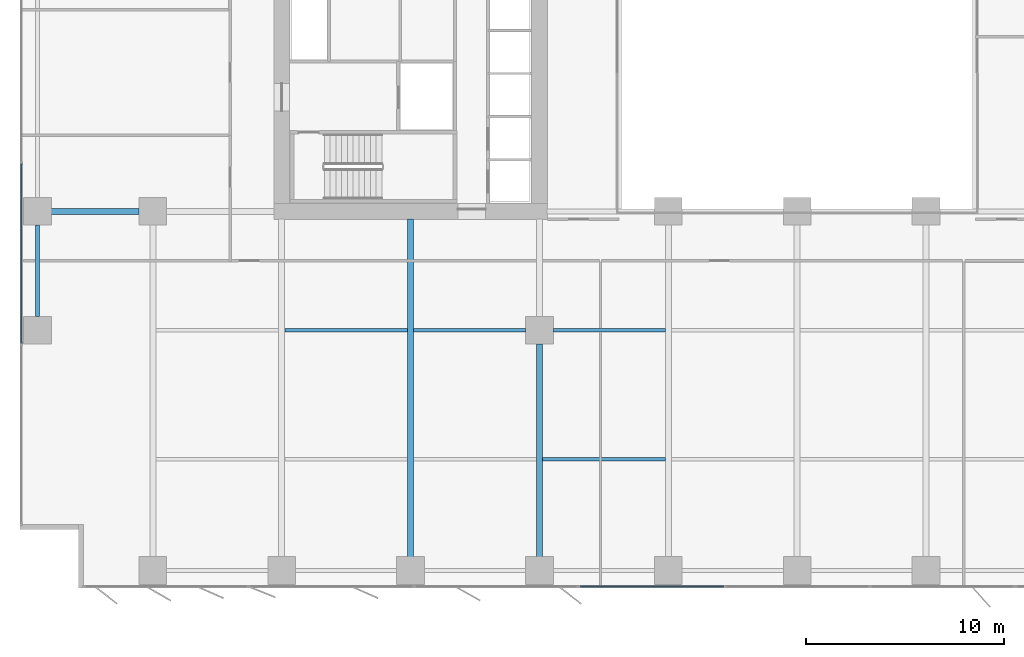
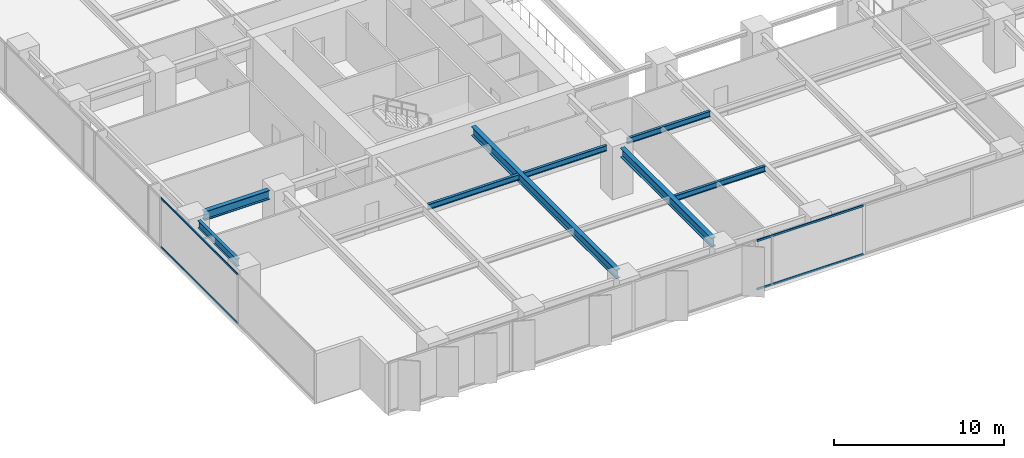
# One storey, part 3 of 20: 8 beams, 4 members, 2 elements without a shape of their own.
"""IFC4 building model written with IfcOpenShell, lengths in metres."""

import ifcopenshell
import ifcopenshell.guid

model = None  # the IFC model being written
_history = None  # IfcOwnerHistory: only IFC2X3 demands one
_inside = {}  # id of a spatial element -> (the spatial element, [elements in it])
_under = {}  # id of a project, library or spatial element -> (it, [spatial elements below it])
_declared = {}  # id of a project -> (the project, [libraries it declares])
_typed = {}  # id of a type object -> (the type object, [elements of that type])
_made_of = {}  # id of a material, layer set ... -> (it, [elements and type objects made of it])


def new_model(schema):
    """Start an empty IFC model of exactly this schema.

    Asked for "IFC4X3", IfcOpenShell would pick the latest addendum, in which some entities
    have other attributes; the version numbers below select the first issue.
    IFC2X3 requires an IfcOwnerHistory on every rooted entity: one is made here for all.
    """
    global model, _history
    if schema == "IFC4X3":
        model = ifcopenshell.file(schema_version=(4, 3, 0, 0))
    else:
        model = ifcopenshell.file(schema=schema)
    _inside.clear()
    _under.clear()
    _declared.clear()
    _typed.clear()
    _made_of.clear()
    _history = None
    if model.schema == "IFC2X3":
        org = make("IfcOrganization", Name="unknown")
        user = make(
            "IfcPersonAndOrganization",
            ThePerson=make("IfcPerson", FamilyName="unknown"),
            TheOrganization=org,
        )
        app = make(
            "IfcApplication",
            ApplicationDeveloper=org,
            Version="unknown",
            ApplicationFullName="unknown",
            ApplicationIdentifier="unknown",
        )
        _history = make(
            "IfcOwnerHistory",
            OwningUser=user,
            OwningApplication=app,
            ChangeAction="ADDED",
            CreationDate=0,
        )
    return model


def make(cls, **values):
    """One entity of the class cls with the attributes given. An attribute that is None is left unset."""
    return model.create_entity(
        cls, **{name: value for name, value in values.items() if value is not None}
    )


def rooted(cls, **values):
    """An entity with a GlobalId (a new one), such as an element, a storey or a relation."""
    return make(cls, GlobalId=ifcopenshell.guid.new(), OwnerHistory=_history, **values)


def si_unit(unit_type, name, prefix=None):
    """IfcSIUnit, for example si_unit("LENGTHUNIT", "METRE", prefix="MILLI")."""
    return make("IfcSIUnit", UnitType=unit_type, Prefix=prefix, Name=name)


def assignment(units):
    """IfcUnitAssignment: the units of a project."""
    return None if units is None else make("IfcUnitAssignment", Units=units)


def point(xyz):
    """IfcCartesianPoint."""
    return None if xyz is None else make("IfcCartesianPoint", Coordinates=xyz)


def direction(xyz):
    """IfcDirection."""
    return None if xyz is None else make("IfcDirection", DirectionRatios=xyz)


def frame(location, z_axis=None, x_axis=None):
    """IfcAxis2Placement3D, a coordinate frame: its origin and axes. An axis left out is left unset."""
    return make(
        "IfcAxis2Placement3D",
        Location=point(location),
        Axis=direction(z_axis),
        RefDirection=direction(x_axis),
    )


def frame_2d(location, x_axis=None):
    """IfcAxis2Placement2D, a coordinate frame in the plane: its origin and x axis."""
    return make(
        "IfcAxis2Placement2D", Location=point(location), RefDirection=direction(x_axis)
    )


def origin():
    """The frame at (0, 0, 0) with its axes left unset."""
    return frame((0.0, 0.0, 0.0))


def origin_2d():
    """The frame at (0, 0) in the plane with its x axis left unset."""
    return frame_2d((0.0, 0.0))


def place(relative_to, where):
    """IfcLocalPlacement: puts the frame where relative to a parent placement (None: the world)."""
    return make(
        "IfcLocalPlacement", PlacementRelTo=relative_to, RelativePlacement=where
    )


def context(
    kind, dimensions, precision=None, world=None, true_north=None, identifier=None
):
    """IfcGeometricRepresentationContext, for example the 3D "Model" context."""
    return make(
        "IfcGeometricRepresentationContext",
        ContextIdentifier=identifier,
        ContextType=kind,
        CoordinateSpaceDimension=dimensions,
        Precision=precision,
        WorldCoordinateSystem=world,
        TrueNorth=true_north,
    )


def subcontext(parent, identifier, kind, view, scale=None):
    """IfcGeometricRepresentationSubContext, for example "Body" below "Model"."""
    return make(
        "IfcGeometricRepresentationSubContext",
        ContextIdentifier=identifier,
        ContextType=kind,
        ParentContext=parent,
        TargetScale=scale,
        TargetView=view,
    )


def project(units=None, contexts=None):
    """IfcProject with its units and contexts."""
    return rooted(
        "IfcProject",
        Name="project",
        RepresentationContexts=contexts,
        UnitsInContext=assignment(units),
    )


def spatial(cls, under=None, at=None, **own):
    """A site, building, storey or space (cls), placed at a placement, below another one or the project."""
    s = rooted(cls, ObjectPlacement=at, **own)
    if under is not None:
        _under.setdefault(under.id(), (under, []))[1].append(s)
    return s


def profile(cls, at=None, kind="AREA", **sizes):
    """A parametric profile (cls). Its sizes go by their IFC names, for example OverallWidth=200.0."""
    return make(cls, ProfileType=kind, Position=at, **sizes)


def rectangle(**sizes):
    """IfcRectangleProfileDef."""
    return profile("IfcRectangleProfileDef", **sizes)


def i_section(**sizes):
    """IfcIShapeProfileDef."""
    return profile("IfcIShapeProfileDef", **sizes)


def extrude(swept, where, along, depth):
    """IfcExtrudedAreaSolid: the profile swept, set in the frame where, extruded along a direction by depth."""
    return make(
        "IfcExtrudedAreaSolid",
        SweptArea=swept,
        Position=where,
        ExtrudedDirection=direction(along),
        Depth=depth,
    )


def shape(context_of_items, identifier, shape_type, items):
    """IfcShapeRepresentation: the items that make up one representation, for example the "Body"."""
    return make(
        "IfcShapeRepresentation",
        ContextOfItems=context_of_items,
        RepresentationIdentifier=identifier,
        RepresentationType=shape_type,
        Items=items,
    )


def material(Name=None, Category=None):
    """IfcMaterial."""
    return make("IfcMaterial", Name=Name, Category=Category)


def layer(
    of_material, thickness, ventilated=None, Name=None, Category=None, Priority=None
):
    """IfcMaterialLayer: one layer of a wall or slab, of a material (None: an air gap)."""
    return make(
        "IfcMaterialLayer",
        Material=of_material,
        LayerThickness=thickness,
        IsVentilated=ventilated,
        Name=Name,
        Category=Category,
        Priority=Priority,
    )


def layer_set(layers, Name=None):
    """IfcMaterialLayerSet."""
    return make("IfcMaterialLayerSet", MaterialLayers=layers, LayerSetName=Name)


def material_profile(
    of_material, cross_section, Name=None, Category=None, Priority=None
):
    """IfcMaterialProfile: a cross section and its material."""
    return make(
        "IfcMaterialProfile",
        Name=Name,
        Material=of_material,
        Profile=cross_section,
        Priority=Priority,
        Category=Category,
    )


def profile_set(profiles, Name=None, composite=None):
    """IfcMaterialProfileSet."""
    return make(
        "IfcMaterialProfileSet",
        Name=Name,
        MaterialProfiles=profiles,
        CompositeProfile=composite,
    )


def made_of(thing, what):
    """Note that an element or type object is made of a material, layer set ...; save() writes the relation."""
    if what is not None:
        _made_of.setdefault(what.id(), (what, []))[1].append(thing)
    return thing


def type_object(cls, material=None, **own):
    """A type object (cls), such as IfcWallType, which elements share."""
    return made_of(rooted(cls, **own), material)


def element(
    cls,
    number,
    at=None,
    inside=None,
    cuts=None,
    type_object=None,
    material=None,
    context=None,
    identifier="Body",
    shape_type=None,
    held_by="IfcProductDefinitionShape",
    body=None,
    shapes=None,
    **own,
):
    """One element of the class cls, such as IfcWall. Its Tag is "e" and its number.

    at: its placement. inside: the storey or other place that contains it. cuts: it is an
    opening in that element (IfcRelVoidsElement). A single representation is given by context,
    identifier, shape_type and body (its items); several are given by shapes. held_by: the class
    of the entity that holds the representations. save() writes the other relations.
    """
    e = rooted(cls, Tag="e%d" % number, ObjectPlacement=at, **own)
    if body is not None:
        shapes = [shape(context, identifier, shape_type, body)]
    if shapes is not None:
        e.Representation = make(held_by, Representations=shapes)
    if inside is not None:
        _inside.setdefault(inside.id(), (inside, []))[1].append(e)
    if cuts is not None:
        rooted(
            "IfcRelVoidsElement", RelatingBuildingElement=cuts, RelatedOpeningElement=e
        )
    if type_object is not None:
        _typed.setdefault(type_object.id(), (type_object, []))[1].append(e)
    return made_of(e, material)


def aggregate(whole, parts):
    """IfcRelAggregates: a whole, such as a stair, and the parts it consists of."""
    return rooted("IfcRelAggregates", RelatingObject=whole, RelatedObjects=parts)


def save(model, path):
    """Write the relations noted so far, then the file.

    IfcRelAggregates (storeys below a building ...), IfcRelContainedInSpatialStructure (elements
    in a storey), IfcRelDefinesByType, IfcRelAssociatesMaterial and IfcRelDeclares: one each for
    every whole, place, type object, material and project.
    """
    for whole, parts in _under.values():
        aggregate(whole, parts)
    for where, things in _inside.values():
        rooted(
            "IfcRelContainedInSpatialStructure",
            RelatedElements=things,
            RelatingStructure=where,
        )
    for kind, things in _typed.values():
        rooted("IfcRelDefinesByType", RelatedObjects=things, RelatingType=kind)
    for what, things in _made_of.values():
        rooted("IfcRelAssociatesMaterial", RelatedObjects=things, RelatingMaterial=what)
    for by, libraries in _declared.values():
        rooted("IfcRelDeclares", RelatingContext=by, RelatedDefinitions=libraries)
    model.write(path)


model = new_model("IFC4")

# Units and contexts
model_context = context("Model", 3, precision=1e-05, world=origin(), true_north=direction((0.0, 1.0)))
body_context = subcontext(model_context, "Body", "Model", "MODEL_VIEW")
ifc_project = project(units=[si_unit("LENGTHUNIT", "METRE"), si_unit("AREAUNIT", "SQUARE_METRE"), si_unit("VOLUMEUNIT", "CUBIC_METRE"), si_unit("PLANEANGLEUNIT", "RADIAN"), si_unit("MASSUNIT", "GRAM", prefix="KILO")], contexts=[model_context])

# Site, building, storey
site_placement = place(None, origin())
site = spatial("IfcSite", under=ifc_project, at=site_placement, CompositionType="ELEMENT")
building_placement = place(site_placement, origin())
building = spatial("IfcBuilding", under=site, at=building_placement, Name="Putna Gate Headquarters", CompositionType="ELEMENT")
storey_placement = place(building_placement, frame((0.0, 0.0, 54.39990234375)))
storey = spatial("IfcBuildingStorey", under=building, at=storey_placement, Name="L12", CompositionType="ELEMENT", Elevation=54.39990234375)

# Beams
ifc_material_1 = material(Name="Steel S355J2", Category="steel")
ifc_material_profile_1 = material_profile(ifc_material_1, i_section(OverallWidth=0.300048828125, OverallDepth=0.64990234375, WebThickness=0.01611328125, FlangeThickness=0.031005859375, at=origin_2d()), Name="Steel S355J2")
ifc_profile_set_1 = profile_set([ifc_material_profile_1], Name="Steel S355J2")
beam_type_1 = type_object("IfcBeamType", Name="BM-GIRD-Z1-HEB650", PredefinedType="USERDEFINED", material=ifc_profile_set_1)
beam_1_placement = place(storey_placement, frame((1.367919921875, 19.0, 3.22509765625), z_axis=(1.0, 0.0, 0.0), x_axis=(0.0, 1.0, 0.0)))
element("IfcBeam", 1, at=beam_1_placement, inside=storey, type_object=beam_type_1, Name="L12 West Wing Girder Y19-1", ObjectType="GIRDER", PredefinedType="USERDEFINED", context=body_context, shape_type="SweptSolid", body=[
    extrude(i_section(OverallWidth=0.300048828125, OverallDepth=0.64990234375, WebThickness=0.01611328125, FlangeThickness=0.031005859375, at=origin_2d()), origin(), (0.0, 0.0, 1.0), 4.444091796875),
])
beam_2_placement = place(storey_placement, frame((19.5, 1.568115234375, 3.22509765625), z_axis=(0.0, 1.0, 0.0), x_axis=(-1.0, 0.0, 0.0)))
element("IfcBeam", 2, at=beam_2_placement, inside=storey, type_object=beam_type_1, Name="L12 South Primary Girder X19", ObjectType="GIRDER", PredefinedType="USERDEFINED", context=body_context, shape_type="SweptSolid", body=[
    extrude(i_section(OverallWidth=0.300048828125, OverallDepth=0.64990234375, WebThickness=0.01611328125, FlangeThickness=0.031005859375, at=origin_2d()), origin(), (0.0, 0.0, 1.0), 17.046875),
])
beam_3_placement = place(storey_placement, frame((26.0, 1.568115234375, 3.22509765625), z_axis=(0.0, 1.0, 0.0), x_axis=(-1.0, 0.0, 0.0)))
element("IfcBeam", 3, at=beam_3_placement, inside=storey, type_object=beam_type_1, Name="L12 South Primary Girder X26-1", ObjectType="GIRDER", PredefinedType="USERDEFINED", context=body_context, shape_type="SweptSolid", body=[
    extrude(i_section(OverallWidth=0.300048828125, OverallDepth=0.64990234375, WebThickness=0.01611328125, FlangeThickness=0.031005859375, at=origin_2d()), origin(), (0.0, 0.0, 1.0), 10.743896484375),
])
ifc_material_profile_2 = material_profile(ifc_material_1, i_section(OverallWidth=0.179931640625, OverallDepth=0.39990234375, WebThickness=0.008544921875, FlangeThickness=0.013427734375, at=origin_2d()), Name="Steel S355J2")
ifc_profile_set_2 = profile_set([ifc_material_profile_2], Name="Steel S355J2")
beam_type_2 = type_object("IfcBeamType", Name="BM-SEC-Z1-IPE400", PredefinedType="BEAM", material=ifc_profile_set_2)
beam_4_placement = place(storey_placement, frame((13.154052734375, 13.0, 3.35009765625), z_axis=(1.0, 0.0, 0.0), x_axis=(0.0, 1.0, 0.0)))
element("IfcBeam", 4, at=beam_4_placement, inside=storey, type_object=beam_type_2, Name="L12 South Secondary Beam 2", PredefinedType="BEAM", context=body_context, shape_type="SweptSolid", body=[
    extrude(i_section(OverallWidth=0.179931640625, OverallDepth=0.39990234375, WebThickness=0.008544921875, FlangeThickness=0.013427734375, at=origin_2d()), origin(), (0.0, 0.0, 1.0), 6.19189453125),
])
beam_5_placement = place(storey_placement, frame((19.654052734375, 13.0, 3.35009765625), z_axis=(1.0, 0.0, 0.0), x_axis=(0.0, 1.0, 0.0)))
element("IfcBeam", 5, at=beam_5_placement, inside=storey, type_object=beam_type_2, Name="L12 South Secondary Beam 3", PredefinedType="BEAM", context=body_context, shape_type="SweptSolid", body=[
    extrude(i_section(OverallWidth=0.179931640625, OverallDepth=0.39990234375, WebThickness=0.008544921875, FlangeThickness=0.013427734375, at=origin_2d()), origin(), (0.0, 0.0, 1.0), 5.657958984375),
])
beam_6_placement = place(storey_placement, frame((26.154052734375, 6.5, 3.35009765625), z_axis=(1.0, 0.0, 0.0), x_axis=(0.0, 1.0, 0.0)))
element("IfcBeam", 6, at=beam_6_placement, inside=storey, type_object=beam_type_2, Name="L12 South Secondary Beam 4", PredefinedType="BEAM", context=body_context, shape_type="SweptSolid", body=[
    extrude(i_section(OverallWidth=0.179931640625, OverallDepth=0.39990234375, WebThickness=0.008544921875, FlangeThickness=0.013427734375, at=origin_2d()), origin(), (0.0, 0.0, 1.0), 6.19189453125),
])
beam_7_placement = place(storey_placement, frame((26.68798828125, 13.0, 3.35009765625), z_axis=(1.0, 0.0, 0.0), x_axis=(0.0, 1.0, 0.0)))
element("IfcBeam", 7, at=beam_7_placement, inside=storey, type_object=beam_type_2, Name="L12 South Secondary Beam 4", PredefinedType="BEAM", context=body_context, shape_type="SweptSolid", body=[
    extrude(i_section(OverallWidth=0.179931640625, OverallDepth=0.39990234375, WebThickness=0.008544921875, FlangeThickness=0.013427734375, at=origin_2d()), origin(), (0.0, 0.0, 1.0), 5.657958984375),
])
ifc_material_profile_3 = material_profile(ifc_material_1, i_section(OverallWidth=0.2099609375, OverallDepth=0.550048828125, WebThickness=0.010986328125, FlangeThickness=0.01708984375, at=origin_2d()), Name="Steel S355J2")
ifc_profile_set_3 = profile_set([ifc_material_profile_3], Name="Steel S355J2")
beam_type_3 = type_object("IfcBeamType", Name="BM-SPAN-Z1-IPE550", PredefinedType="SPANDREL", material=ifc_profile_set_3)
beam_8_placement = place(storey_placement, frame((0.679931640625, 13.68798828125, 3.275146484375), z_axis=(0.0, 1.0, 0.0), x_axis=(-1.0, 0.0, 0.0)))
element("IfcBeam", 8, at=beam_8_placement, inside=storey, type_object=beam_type_3, Name="L12 W End Spandrel 1", PredefinedType="SPANDREL", context=body_context, shape_type="SweptSolid", body=[
    extrude(i_section(OverallWidth=0.2099609375, OverallDepth=0.550048828125, WebThickness=0.010986328125, FlangeThickness=0.01708984375, at=origin_2d()), origin(), (0.0, 0.0, 1.0), 4.6240234375),
])

# Curtain wall, members
ifc_material_2 = material(Name="Anodised bronze aluminium curtain wall", Category="aluminium")
ifc_layer_1 = layer(ifc_material_2, 0.179931640625)
ifc_layer_set_1 = layer_set([ifc_layer_1], Name="Anodised bronze aluminium curtain wall")
curtain_wall_type_1 = type_object("IfcCurtainWallType", Name="CW-SYS-Z1", PredefinedType="USERDEFINED", material=ifc_layer_set_1)
curtain_wall_1_placement = place(storey_placement, origin())
curtain_wall_1 = element("IfcCurtainWall", 9, at=curtain_wall_1_placement, inside=storey, type_object=curtain_wall_type_1, Name="L12 West Curtain Wall", ObjectType="STICK CURTAIN WALL", PredefinedType="USERDEFINED")
ifc_material_3 = material(Name="Anodised bronze aluminium EN AW-6060", Category="aluminium")
ifc_material_profile_4 = material_profile(ifc_material_3, rectangle(XDim=0.06494140625, YDim=0.1201171875, at=origin_2d()), Name="Anodised bronze aluminium EN AW-6060")
ifc_profile_set_4 = profile_set([ifc_material_profile_4], Name="Anodised bronze aluminium EN AW-6060")
member_type_1 = type_object("IfcMemberType", Name="TRAN-CWT-1", PredefinedType="USERDEFINED", material=ifc_profile_set_4)
member_1_placement = place(storey_placement, frame((-0.1201171875, 12.35498046875, 0.03271484375), z_axis=(0.0, 1.0, 0.0), x_axis=(-1.0, 0.0, 0.0)))
member_1 = element("IfcMember", 10, at=member_1_placement, type_object=member_type_1, Name="CWS-1 transom 2.1", ObjectType="TRANSOM", PredefinedType="USERDEFINED", context=body_context, shape_type="SweptSolid", body=[
    extrude(rectangle(XDim=0.06494140625, YDim=0.1201171875, at=origin_2d()), origin(), (0.0, 0.0, 1.0), 9.050048828125),
])
member_2_placement = place(storey_placement, frame((-0.1201171875, 12.35498046875, 3.517578125), z_axis=(0.0, 1.0, 0.0), x_axis=(-1.0, 0.0, 0.0)))
member_2 = element("IfcMember", 11, at=member_2_placement, type_object=member_type_1, Name="CWS-1 transom 2.2", ObjectType="TRANSOM", PredefinedType="USERDEFINED", context=body_context, shape_type="SweptSolid", body=[
    extrude(rectangle(XDim=0.06494140625, YDim=0.1201171875, at=origin_2d()), origin(), (0.0, 0.0, 1.0), 9.050048828125),
])
aggregate(curtain_wall_1, [member_1, member_2])

ifc_layer_2 = layer(ifc_material_2, 0.179931640625)
ifc_layer_set_2 = layer_set([ifc_layer_2], Name="Anodised bronze aluminium curtain wall")
curtain_wall_type_2 = type_object("IfcCurtainWallType", Name="CW-SYS-ATR", PredefinedType="USERDEFINED", material=ifc_layer_set_2)
curtain_wall_2_placement = place(storey_placement, origin())
curtain_wall_2 = element("IfcCurtainWall", 12, at=curtain_wall_2_placement, inside=storey, type_object=curtain_wall_type_2, Name="L12 South Atrium Clear Glazing", ObjectType="ATRIUM GLAZING", PredefinedType="USERDEFINED")
ifc_material_profile_5 = material_profile(ifc_material_3, rectangle(XDim=0.070068359375, YDim=0.139892578125, at=origin_2d()), Name="Anodised bronze aluminium EN AW-6060")
ifc_profile_set_5 = profile_set([ifc_material_profile_5], Name="Anodised bronze aluminium EN AW-6060")
member_type_2 = type_object("IfcMemberType", Name="TRAN-CWT-AT", PredefinedType="USERDEFINED", material=ifc_profile_set_5)
member_3_placement = place(storey_placement, frame((28.070068359375, 0.080078125, 0.03515625), z_axis=(1.0, 0.0, 0.0), x_axis=(0.0, 1.0, 0.0)))
member_3 = element("IfcMember", 13, at=member_3_placement, type_object=member_type_2, Name="CWS-AT transom 1.1", ObjectType="TRANSOM", PredefinedType="USERDEFINED", context=body_context, shape_type="SweptSolid", body=[
    extrude(rectangle(XDim=0.070068359375, YDim=0.139892578125, at=origin_2d()), origin(), (0.0, 0.0, 1.0), 7.228271484375),
])
member_4_placement = place(storey_placement, frame((28.070068359375, 0.080078125, 3.51513671875), z_axis=(1.0, 0.0, 0.0), x_axis=(0.0, 1.0, 0.0)))
member_4 = element("IfcMember", 14, at=member_4_placement, type_object=member_type_2, Name="CWS-AT transom 1.2", ObjectType="TRANSOM", PredefinedType="USERDEFINED", context=body_context, shape_type="SweptSolid", body=[
    extrude(rectangle(XDim=0.070068359375, YDim=0.139892578125, at=origin_2d()), origin(), (0.0, 0.0, 1.0), 7.228271484375),
])
aggregate(curtain_wall_2, [member_3, member_4])

save(model, "model.ifc")
